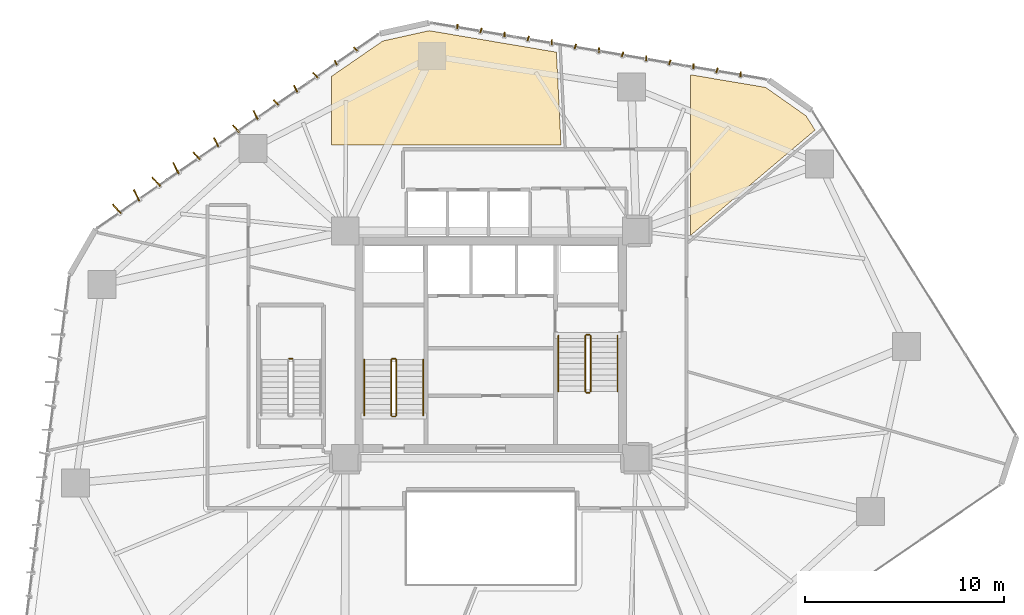
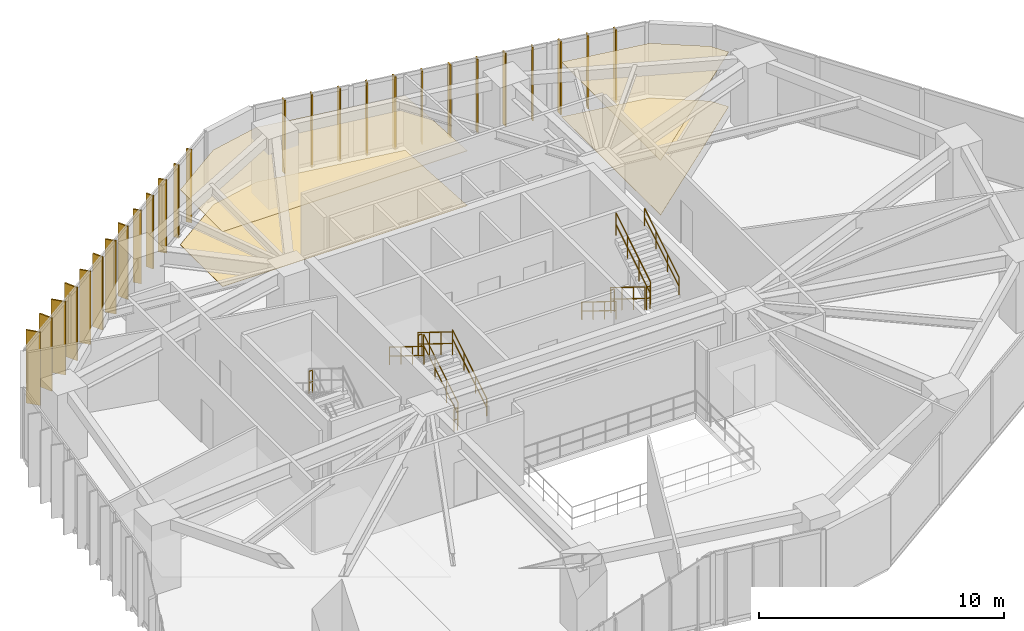
# One storey, part 21 of 21: 26 shading devices, 13 railings, 4 coverings.
"""IFC4 building model written with IfcOpenShell, lengths in metres."""

from ifc_helpers import new_model, si_unit, direction, frame, origin, origin_2d, place, context, subcontext, project, spatial, polyline, rectangle, circle, outline, extrude, source, transform, mapped, material, layer, layer_set, type_object, type_shapes, element, save


model = new_model("IFC4")

# Units and contexts
model_context = context("Model", 3, precision=1e-05, world=origin(), true_north=direction((0.0, 1.0)))
body_context = subcontext(model_context, "Body", "Model", "MODEL_VIEW")
ifc_project = project(units=[si_unit("LENGTHUNIT", "METRE"), si_unit("AREAUNIT", "SQUARE_METRE"), si_unit("VOLUMEUNIT", "CUBIC_METRE"), si_unit("PLANEANGLEUNIT", "RADIAN"), si_unit("MASSUNIT", "GRAM", prefix="KILO")], contexts=[model_context])

# Site, building, storey
site_placement = place(None, origin())
site = spatial("IfcSite", under=ifc_project, at=site_placement, CompositionType="ELEMENT")
building_placement = place(site_placement, origin())
building = spatial("IfcBuilding", under=site, at=building_placement, Name="Talar Marvaseh", CompositionType="ELEMENT")
storey_placement = place(building_placement, frame((0.0, 0.0, 62.0)))
storey = spatial("IfcBuildingStorey", under=building, at=storey_placement, Name="L15", CompositionType="ELEMENT", Elevation=62.0)

# Railings
ifc_material_1 = material(Name="Stainless Steel Grade 316", Category="steel")
railing_type_1 = type_object("IfcRailingType", Name="Brushed Stainless Wall Pitch Handrail 900", PredefinedType="HANDRAIL", material=ifc_material_1)
railing_1_placement = place(storey_placement, frame((22.610107421875, 27.64990234375, 0.172607421875)))
element("IfcRailing", 1, at=railing_1_placement, inside=storey, type_object=railing_type_1, Name="L15 ST-1 stair handrail 1", PredefinedType="HANDRAIL", context=body_context, shape_type="SweptSolid", body=[
    extrude(circle(Radius=0.02392578125, at=origin_2d()), frame((0.0, 0.0, 0.8759765625), z_axis=(0.0, 0.851089632645, 0.525020415988), x_axis=(-1.0, 0.0, 0.0)), (0.0, 0.0, 1.0), 3.2900390625),
    extrude(circle(Radius=0.02392578125, at=origin_2d()), frame((0.0, 0.0, 0.42578125), z_axis=(0.0, 0.851089632645, 0.525020415988), x_axis=(-1.0, 0.0, 0.0)), (0.0, 0.0, 1.0), 3.2900390625),
    extrude(circle(Radius=0.02099609375, at=origin_2d()), origin(), (0.0, 0.0, 1.0), 0.851806640625),
    extrude(circle(Radius=0.02099609375, at=origin_2d()), frame((0.0, 0.933349609375, 0.57568359375)), (0.0, 0.0, 1.0), 0.851806640625),
    extrude(circle(Radius=0.02099609375, at=origin_2d()), frame((0.0, 1.86669921875, 1.151611328125)), (0.0, 0.0, 1.0), 0.851806640625),
    extrude(circle(Radius=0.02099609375, at=origin_2d()), frame((0.0, 2.800048828125, 1.727294921875)), (0.0, 0.0, 1.0), 0.851806640625),
])
railing_2_placement = place(storey_placement, frame((19.64990234375, 30.449951171875, 2.07275390625)))
element("IfcRailing", 2, at=railing_2_placement, inside=storey, type_object=railing_type_1, Name="L15 ST-1 stair handrail 2", PredefinedType="HANDRAIL", context=body_context, shape_type="SweptSolid", body=[
    extrude(circle(Radius=0.02392578125, at=origin_2d()), frame((0.0, 0.0, 0.8759765625), z_axis=(0.0, -0.851089632645, 0.525020415988), x_axis=(1.0, 0.0, 0.0)), (0.0, 0.0, 1.0), 3.2900390625),
    extrude(circle(Radius=0.02392578125, at=origin_2d()), frame((0.0, 0.0, 0.42578125), z_axis=(0.0, -0.851089632645, 0.525020415988), x_axis=(1.0, 0.0, 0.0)), (0.0, 0.0, 1.0), 3.2900390625),
    extrude(circle(Radius=0.02099609375, at=origin_2d()), origin(), (0.0, 0.0, 1.0), 0.851806640625),
    extrude(circle(Radius=0.02099609375, at=origin_2d()), frame((0.0, -0.933349609375, 0.57568359375)), (0.0, 0.0, 1.0), 0.851806640625),
    extrude(circle(Radius=0.02099609375, at=origin_2d()), frame((0.0, -1.86669921875, 1.151611328125)), (0.0, 0.0, 1.0), 0.851806640625),
    extrude(circle(Radius=0.02099609375, at=origin_2d()), frame((0.0, -2.800048828125, 1.727294921875)), (0.0, 0.0, 1.0), 0.851806640625),
])
railing_3_placement = place(storey_placement, frame((29.389892578125, 31.64990234375, 0.172607421875)))
element("IfcRailing", 3, at=railing_3_placement, inside=storey, type_object=railing_type_1, Name="L15 ST-2 stair handrail 1", PredefinedType="HANDRAIL", context=body_context, shape_type="SweptSolid", body=[
    extrude(circle(Radius=0.02392578125, at=origin_2d()), frame((0.0, 0.0, 0.8759765625), z_axis=(0.0, -0.851069175582, 0.525053576669), x_axis=(1.0, 0.0, 0.0)), (0.0, 0.0, 1.0), 3.289794921875),
    extrude(circle(Radius=0.02392578125, at=origin_2d()), frame((0.0, 0.0, 0.42578125), z_axis=(0.0, -0.851069175582, 0.525053576669), x_axis=(1.0, 0.0, 0.0)), (0.0, 0.0, 1.0), 3.289794921875),
    extrude(circle(Radius=0.02099609375, at=origin_2d()), origin(), (0.0, 0.0, 1.0), 0.851806640625),
    extrude(circle(Radius=0.02099609375, at=origin_2d()), frame((0.0, -0.933349609375, 0.57568359375)), (0.0, 0.0, 1.0), 0.851806640625),
    extrude(circle(Radius=0.02099609375, at=origin_2d()), frame((0.0, -1.866455078125, 1.151611328125)), (0.0, 0.0, 1.0), 0.851806640625),
    extrude(circle(Radius=0.02099609375, at=origin_2d()), frame((0.0, -2.7998046875, 1.727294921875)), (0.0, 0.0, 1.0), 0.851806640625),
])
railing_4_placement = place(storey_placement, frame((32.35009765625, 28.85009765625, 2.07275390625)))
element("IfcRailing", 4, at=railing_4_placement, inside=storey, type_object=railing_type_1, Name="L15 ST-2 stair handrail 2", PredefinedType="HANDRAIL", context=body_context, shape_type="SweptSolid", body=[
    extrude(circle(Radius=0.02392578125, at=origin_2d()), frame((0.0, 0.0, 0.8759765625), z_axis=(0.0, 0.851069175582, 0.525053576669), x_axis=(-1.0, 0.0, 0.0)), (0.0, 0.0, 1.0), 3.289794921875),
    extrude(circle(Radius=0.02392578125, at=origin_2d()), frame((0.0, 0.0, 0.42578125), z_axis=(0.0, 0.851069175582, 0.525053576669), x_axis=(-1.0, 0.0, 0.0)), (0.0, 0.0, 1.0), 3.289794921875),
    extrude(circle(Radius=0.02099609375, at=origin_2d()), origin(), (0.0, 0.0, 1.0), 0.851806640625),
    extrude(circle(Radius=0.02099609375, at=origin_2d()), frame((0.0, 0.933349609375, 0.57568359375)), (0.0, 0.0, 1.0), 0.851806640625),
    extrude(circle(Radius=0.02099609375, at=origin_2d()), frame((0.0, 1.866455078125, 1.151611328125)), (0.0, 0.0, 1.0), 0.851806640625),
    extrude(circle(Radius=0.02099609375, at=origin_2d()), frame((0.0, 2.7998046875, 1.727294921875)), (0.0, 0.0, 1.0), 0.851806640625),
])
railing_type_2 = type_object("IfcRailingType", Name="Painted Steel Core Stair Well Guardrail 1150", PredefinedType="GUARDRAIL", material=ifc_material_1)
railing_5_placement = place(storey_placement, frame((21.260009765625, 27.64990234375, 0.172607421875)))
element("IfcRailing", 5, at=railing_5_placement, inside=storey, type_object=railing_type_2, Name="L15 ST-1 stair guard 1", PredefinedType="GUARDRAIL", context=body_context, shape_type="SweptSolid", body=[
    extrude(circle(Radius=0.02392578125, at=origin_2d()), frame((0.0, 0.0, 1.1259765625), z_axis=(0.0, 0.851089632645, 0.525020415988), x_axis=(-1.0, 0.0, 0.0)), (0.0, 0.0, 1.0), 3.2900390625),
    extrude(circle(Radius=0.02392578125, at=origin_2d()), frame((0.0, 0.0, 0.55078125), z_axis=(0.0, 0.851089632645, 0.525020415988), x_axis=(-1.0, 0.0, 0.0)), (0.0, 0.0, 1.0), 3.2900390625),
    extrude(circle(Radius=0.02099609375, at=origin_2d()), origin(), (0.0, 0.0, 1.0), 1.101806640625),
    extrude(circle(Radius=0.02099609375, at=origin_2d()), frame((0.0, 0.933349609375, 0.57568359375)), (0.0, 0.0, 1.0), 1.101806640625),
    extrude(circle(Radius=0.02099609375, at=origin_2d()), frame((0.0, 1.86669921875, 1.151611328125)), (0.0, 0.0, 1.0), 1.101806640625),
    extrude(circle(Radius=0.02099609375, at=origin_2d()), frame((0.0, 2.800048828125, 1.727294921875)), (0.0, 0.0, 1.0), 1.101806640625),
])
railing_6_placement = place(storey_placement, frame((21.2099609375, 30.5, 1.89990234375)))
element("IfcRailing", 6, at=railing_6_placement, inside=storey, type_object=railing_type_2, Name="L15 ST-1 stair guard 2", PredefinedType="GUARDRAIL", context=body_context, shape_type="SweptSolid", body=[
    extrude(circle(Radius=0.02392578125, at=origin_2d()), frame((0.0, 0.0, 1.1259765625), z_axis=(-1.0, 0.0, 0.0), x_axis=(0.0, -1.0, 0.0)), (0.0, 0.0, 1.0), 0.159912109375),
    extrude(circle(Radius=0.02392578125, at=origin_2d()), frame((0.0, 0.0, 0.55078125), z_axis=(-1.0, 0.0, 0.0), x_axis=(0.0, -1.0, 0.0)), (0.0, 0.0, 1.0), 0.159912109375),
    extrude(circle(Radius=0.02099609375, at=origin_2d()), origin(), (0.0, 0.0, 1.0), 1.101806640625),
    extrude(circle(Radius=0.02099609375, at=origin_2d()), frame((-0.159912109375, 0.0, 0.0)), (0.0, 0.0, 1.0), 1.101806640625),
])
railing_7_placement = place(storey_placement, frame((21.0, 30.449951171875, 2.07275390625)))
element("IfcRailing", 7, at=railing_7_placement, inside=storey, type_object=railing_type_2, Name="L15 ST-1 stair guard 3", PredefinedType="GUARDRAIL", context=body_context, shape_type="SweptSolid", body=[
    extrude(circle(Radius=0.02392578125, at=origin_2d()), frame((0.0, 0.0, 1.1259765625), z_axis=(0.0, -0.851089632645, 0.525020415988), x_axis=(1.0, 0.0, 0.0)), (0.0, 0.0, 1.0), 3.2900390625),
    extrude(circle(Radius=0.02392578125, at=origin_2d()), frame((0.0, 0.0, 0.55078125), z_axis=(0.0, -0.851089632645, 0.525020415988), x_axis=(1.0, 0.0, 0.0)), (0.0, 0.0, 1.0), 3.2900390625),
    extrude(circle(Radius=0.02099609375, at=origin_2d()), origin(), (0.0, 0.0, 1.0), 1.101806640625),
    extrude(circle(Radius=0.02099609375, at=origin_2d()), frame((0.0, -0.933349609375, 0.57568359375)), (0.0, 0.0, 1.0), 1.101806640625),
    extrude(circle(Radius=0.02099609375, at=origin_2d()), frame((0.0, -1.86669921875, 1.151611328125)), (0.0, 0.0, 1.0), 1.101806640625),
    extrude(circle(Radius=0.02099609375, at=origin_2d()), frame((0.0, -2.800048828125, 1.727294921875)), (0.0, 0.0, 1.0), 1.101806640625),
])
railing_8_placement = place(storey_placement, frame((21.2099609375, 27.60009765625, 0.0)))
element("IfcRailing", 8, at=railing_8_placement, inside=storey, type_object=railing_type_2, Name="L15 ST-1 stair guard 4", PredefinedType="GUARDRAIL", context=body_context, shape_type="SweptSolid", body=[
    extrude(circle(Radius=0.02392578125, at=origin_2d()), frame((0.0, 0.0, 1.1259765625), z_axis=(-1.0, 0.0, 0.0), x_axis=(0.0, -1.0, 0.0)), (0.0, 0.0, 1.0), 0.159912109375),
    extrude(circle(Radius=0.02392578125, at=origin_2d()), frame((0.0, 0.0, 0.55078125), z_axis=(-1.0, 0.0, 0.0), x_axis=(0.0, -1.0, 0.0)), (0.0, 0.0, 1.0), 0.159912109375),
    extrude(circle(Radius=0.02099609375, at=origin_2d()), origin(), (0.0, 0.0, 1.0), 1.101806640625),
    extrude(circle(Radius=0.02099609375, at=origin_2d()), frame((-0.159912109375, 0.0, 0.0)), (0.0, 0.0, 1.0), 1.101806640625),
])
railing_9_placement = place(storey_placement, frame((30.739990234375, 31.64990234375, 0.172607421875)))
element("IfcRailing", 9, at=railing_9_placement, inside=storey, type_object=railing_type_2, Name="L15 ST-2 stair guard 1", PredefinedType="GUARDRAIL", context=body_context, shape_type="SweptSolid", body=[
    extrude(circle(Radius=0.02392578125, at=origin_2d()), frame((0.0, 0.0, 1.1259765625), z_axis=(0.0, -0.851069175582, 0.525053576669), x_axis=(1.0, 0.0, 0.0)), (0.0, 0.0, 1.0), 3.289794921875),
    extrude(circle(Radius=0.02392578125, at=origin_2d()), frame((0.0, 0.0, 0.55078125), z_axis=(0.0, -0.851069175582, 0.525053576669), x_axis=(1.0, 0.0, 0.0)), (0.0, 0.0, 1.0), 3.289794921875),
    extrude(circle(Radius=0.02099609375, at=origin_2d()), origin(), (0.0, 0.0, 1.0), 1.101806640625),
    extrude(circle(Radius=0.02099609375, at=origin_2d()), frame((0.0, -0.933349609375, 0.57568359375)), (0.0, 0.0, 1.0), 1.101806640625),
    extrude(circle(Radius=0.02099609375, at=origin_2d()), frame((0.0, -1.866455078125, 1.151611328125)), (0.0, 0.0, 1.0), 1.101806640625),
    extrude(circle(Radius=0.02099609375, at=origin_2d()), frame((0.0, -2.7998046875, 1.727294921875)), (0.0, 0.0, 1.0), 1.101806640625),
])
railing_10_placement = place(storey_placement, frame((30.7900390625, 28.800048828125, 1.89990234375)))
element("IfcRailing", 10, at=railing_10_placement, inside=storey, type_object=railing_type_2, Name="L15 ST-2 stair guard 2", PredefinedType="GUARDRAIL", context=body_context, shape_type="SweptSolid", body=[
    extrude(circle(Radius=0.02392578125, at=origin_2d()), frame((0.0, 0.0, 1.1259765625), z_axis=(1.0, 0.0, 0.0), x_axis=(0.0, 1.0, 0.0)), (0.0, 0.0, 1.0), 0.159912109375),
    extrude(circle(Radius=0.02392578125, at=origin_2d()), frame((0.0, 0.0, 0.55078125), z_axis=(1.0, 0.0, 0.0), x_axis=(0.0, 1.0, 0.0)), (0.0, 0.0, 1.0), 0.159912109375),
    extrude(circle(Radius=0.02099609375, at=origin_2d()), origin(), (0.0, 0.0, 1.0), 1.101806640625),
    extrude(circle(Radius=0.02099609375, at=origin_2d()), frame((0.159912109375, 0.0, 0.0)), (0.0, 0.0, 1.0), 1.101806640625),
])
railing_11_placement = place(storey_placement, frame((31.0, 28.85009765625, 2.07275390625)))
element("IfcRailing", 11, at=railing_11_placement, inside=storey, type_object=railing_type_2, Name="L15 ST-2 stair guard 3", PredefinedType="GUARDRAIL", context=body_context, shape_type="SweptSolid", body=[
    extrude(circle(Radius=0.02392578125, at=origin_2d()), frame((0.0, 0.0, 1.1259765625), z_axis=(0.0, 0.851069175582, 0.525053576669), x_axis=(-1.0, 0.0, 0.0)), (0.0, 0.0, 1.0), 3.289794921875),
    extrude(circle(Radius=0.02392578125, at=origin_2d()), frame((0.0, 0.0, 0.55078125), z_axis=(0.0, 0.851069175582, 0.525053576669), x_axis=(-1.0, 0.0, 0.0)), (0.0, 0.0, 1.0), 3.289794921875),
    extrude(circle(Radius=0.02099609375, at=origin_2d()), origin(), (0.0, 0.0, 1.0), 1.101806640625),
    extrude(circle(Radius=0.02099609375, at=origin_2d()), frame((0.0, 0.933349609375, 0.57568359375)), (0.0, 0.0, 1.0), 1.101806640625),
    extrude(circle(Radius=0.02099609375, at=origin_2d()), frame((0.0, 1.866455078125, 1.151611328125)), (0.0, 0.0, 1.0), 1.101806640625),
    extrude(circle(Radius=0.02099609375, at=origin_2d()), frame((0.0, 2.7998046875, 1.727294921875)), (0.0, 0.0, 1.0), 1.101806640625),
])
railing_12_placement = place(storey_placement, frame((30.7900390625, 31.699951171875, 0.0)))
element("IfcRailing", 12, at=railing_12_placement, inside=storey, type_object=railing_type_2, Name="L15 ST-2 stair guard 4", PredefinedType="GUARDRAIL", context=body_context, shape_type="SweptSolid", body=[
    extrude(circle(Radius=0.02392578125, at=origin_2d()), frame((0.0, 0.0, 1.1259765625), z_axis=(1.0, 0.0, 0.0), x_axis=(0.0, 1.0, 0.0)), (0.0, 0.0, 1.0), 0.159912109375),
    extrude(circle(Radius=0.02392578125, at=origin_2d()), frame((0.0, 0.0, 0.55078125), z_axis=(1.0, 0.0, 0.0), x_axis=(0.0, 1.0, 0.0)), (0.0, 0.0, 1.0), 0.159912109375),
    extrude(circle(Radius=0.02099609375, at=origin_2d()), origin(), (0.0, 0.0, 1.0), 1.101806640625),
    extrude(circle(Radius=0.02099609375, at=origin_2d()), frame((0.159912109375, 0.0, 0.0)), (0.0, 0.0, 1.0), 1.101806640625),
])
railing_13_placement = place(storey_placement, frame((16.050048828125, 30.5, 1.89990234375)))
element("IfcRailing", 13, at=railing_13_placement, inside=storey, type_object=railing_type_2, Name="L15 ST-3 stair guard 2", PredefinedType="GUARDRAIL", context=body_context, shape_type="SweptSolid", body=[
    extrude(circle(Radius=0.02392578125, at=origin_2d()), frame((0.0, 0.0, 1.1259765625), z_axis=(-1.0, 0.0, 0.0), x_axis=(0.0, -1.0, 0.0)), (0.0, 0.0, 1.0), 0.16015625),
    extrude(circle(Radius=0.02392578125, at=origin_2d()), frame((0.0, 0.0, 0.55078125), z_axis=(-1.0, 0.0, 0.0), x_axis=(0.0, -1.0, 0.0)), (0.0, 0.0, 1.0), 0.16015625),
    extrude(circle(Radius=0.02099609375, at=origin_2d()), origin(), (0.0, 0.0, 1.0), 1.101806640625),
    extrude(circle(Radius=0.02099609375, at=origin_2d()), frame((-0.16015625, 0.0, 0.0)), (0.0, 0.0, 1.0), 1.101806640625),
])

# Coverings
ifc_material_2 = material(Name="Mineral Fibre Acoustic Ceiling")
ifc_layer_1 = layer(ifc_material_2, 0.02490234375)
ifc_layer_set_1 = layer_set([ifc_layer_1], Name="Mineral Fibre Acoustic Ceiling")
covering_type_1 = type_object("IfcCoveringType", Name="Perforated Mineral Fibre Acoustic Suspended Ceiling", PredefinedType="CEILING", material=ifc_layer_set_1)
covering_1_placement = place(storey_placement, frame((0.0, 0.0, 2.719970703125)))
element("IfcCovering", 14, at=covering_1_placement, inside=storey, type_object=covering_type_1, Name="L15 Chamber Recital Salon Acoustic Ceiling", PredefinedType="CEILING", context=body_context, shape_type="SweptSolid", body=[
    extrude(outline(polyline([(36.0, 36.668701171875), (36.0, 41.0), (36.0, 44.735595703125), (39.776611328125, 44.09912109375), (41.80322265625, 42.67333984375), (42.252685546875, 41.958251953125), (36.0, 36.668701171875)])), origin(), (0.0, 0.0, 1.0), 0.025146484375),
])
covering_2_placement = place(storey_placement, frame((0.0, 0.0, 2.719970703125)))
element("IfcCovering", 15, at=covering_2_placement, inside=storey, type_object=covering_type_1, Name="L15 Digital Paleography Studio Acoustic Ceiling", PredefinedType="CEILING", context=body_context, shape_type="SweptSolid", body=[
    extrude(outline(polyline([(22.910400390625, 46.942138671875), (29.287109375, 45.8671875), (29.5185546875, 41.199951171875), (21.60009765625, 41.199951171875), (18.0, 41.199951171875), (18.0, 44.646240234375), (20.58349609375, 46.42626953125), (22.910400390625, 46.942138671875)])), origin(), (0.0, 0.0, 1.0), 0.025146484375),
])
ifc_material_3 = material(Name="Porcelain Stoneware Tile", Category="masonry")
ifc_layer_2 = layer(ifc_material_3, 0.02001953125)
ifc_layer_set_2 = layer_set([ifc_layer_2], Name="Porcelain Stoneware Tile")
covering_type_2 = type_object("IfcCoveringType", Name="Polished Porcelain Stoneware Gallery Flooring", PredefinedType="FLOORING", material=ifc_layer_set_2)
covering_3_placement = place(storey_placement, origin())
element("IfcCovering", 16, at=covering_3_placement, inside=storey, type_object=covering_type_2, Name="L15 Chamber Recital Salon Flooring", PredefinedType="FLOORING", context=body_context, shape_type="SweptSolid", body=[
    extrude(outline(polyline([(36.0, 36.668701171875), (36.0, 41.0), (36.0, 44.735595703125), (39.776611328125, 44.09912109375), (41.80322265625, 42.67333984375), (42.252685546875, 41.958251953125), (36.0, 36.668701171875)])), origin(), (0.0, 0.0, 1.0), 0.02001953125),
])
covering_4_placement = place(storey_placement, origin())
element("IfcCovering", 17, at=covering_4_placement, inside=storey, type_object=covering_type_2, Name="L15 Digital Paleography Studio Flooring", PredefinedType="FLOORING", context=body_context, shape_type="SweptSolid", body=[
    extrude(outline(polyline([(22.910400390625, 46.942138671875), (29.287109375, 45.8671875), (29.5185546875, 41.199951171875), (21.60009765625, 41.199951171875), (18.0, 41.199951171875), (18.0, 44.646240234375), (20.58349609375, 46.42626953125), (22.910400390625, 46.942138671875)])), origin(), (0.0, 0.0, 1.0), 0.02001953125),
])

# Shading devices
ifc_material_4 = material(Name="Anodised Champagne Bronze Aluminium", Category="aluminium")
ifc_layer_3 = layer(ifc_material_4, 0.06494140625)
ifc_layer_set_3 = layer_set([ifc_layer_3], Name="Anodised Champagne Bronze Aluminium")
shading_device_type_1 = type_object("IfcShadingDeviceType", Name="Sawtooth Champagne Bronze Vertical Fin 240", PredefinedType="USERDEFINED", material=ifc_layer_set_3)
shared_shape_1 = source(origin(), body_context, "Body", "SweptSolid", [
    extrude(rectangle(XDim=0.239990234375, YDim=0.06494140625, at=origin_2d()), origin(), (0.0, 0.0, 1.0), 3.639892578125),
])
type_shapes(shading_device_type_1, [shared_shape_1])
for number, where, z_axis, x_axis, name in (
    (18, (18.22509765625, 45.341796875, -0.1201171875), (0.0, 0.0, 1.0), (-0.447290848419, 0.89438856037, 0.0), "L15 Sawtooth Vertical Solar Fin"),
    (19, (19.213134765625, 46.0224609375, -0.1201171875), (0.0, 0.0, 1.0), (-0.676490457382, 0.73645139763, 0.0), "L15 Sawtooth Vertical Solar Fin"),
    (20, (24.322998046875, 47.1552734375, -0.1201171875), (0.0, 0.0, 1.0), (0.027398240288, 0.999624597751, 0.0), "L15 Sawtooth Vertical Solar Fin"),
    (21, (25.50634765625, 46.955810546875, -0.1201171875), (0.0, 0.0, 1.0), (0.301870759858, 0.953348857629, 0.0), "L15 Sawtooth Vertical Solar Fin"),
    (22, (26.689697265625, 46.75634765625, -0.1201171875), (0.0, 0.0, 1.0), (0.027398240288, 0.999624597751, 0.0), "L15 Sawtooth Vertical Solar Fin"),
    (23, (27.872802734375, 46.556884765625, -0.1201171875), (0.0, 0.0, 1.0), (0.301870759858, 0.953348857629, 0.0), "L15 Sawtooth Vertical Solar Fin"),
    (24, (29.05615234375, 46.357421875, -0.1201171875), (0.0, 0.0, 1.0), (0.027398240288, 0.999624597751, 0.0), "L15 Sawtooth Vertical Solar Fin"),
    (25, (30.239501953125, 46.157958984375, -0.1201171875), (0.0, 0.0, 1.0), (0.301870759858, 0.953348857629, 0.0), "L15 Sawtooth Vertical Solar Fin"),
    (26, (31.4228515625, 45.95849609375, -0.1201171875), (0.0, 0.0, 1.0), (0.027398240288, 0.999624597751, 0.0), "L15 Sawtooth Vertical Solar Fin"),
    (27, (32.606201171875, 45.759033203125, -0.1201171875), (0.0, 0.0, 1.0), (0.301870759858, 0.953348857629, 0.0), "L15 Sawtooth Vertical Solar Fin"),
    (28, (33.78955078125, 45.5595703125, -0.1201171875), (0.0, 0.0, 1.0), (0.027398240288, 0.999624597751, 0.0), "L15 Sawtooth Vertical Solar Fin"),
    (29, (34.972900390625, 45.360107421875, -0.1201171875), (0.0, 0.0, 1.0), (0.301870759858, 0.953348857629, 0.0), "L15 Sawtooth Vertical Solar Fin"),
    (30, (36.156005859375, 45.16064453125, -0.1201171875), (0.0, 0.0, 1.0), (0.027398240288, 0.999624597751, 0.0), "L15 Sawtooth Vertical Solar Fin"),
    (31, (37.33935546875, 44.961181640625, -0.1201171875), (0.0, 0.0, 1.0), (0.301870759858, 0.953348857629, 0.0), "L15 Sawtooth Vertical Solar Fin"),
    (32, (38.522705078125, 44.76171875, -0.1201171875), (0.0, 0.0, 1.0), (0.027398240288, 0.999624597751, 0.0), "L15 Sawtooth Vertical Solar Fin"),
):
    element("IfcShadingDevice", number, at=place(storey_placement, frame(where, z_axis=z_axis, x_axis=x_axis)), inside=storey, type_object=shading_device_type_1, Name=name, ObjectType="FIN", PredefinedType="USERDEFINED", context=body_context, shape_type="MappedRepresentation", body=[
        mapped(shared_shape_1, transform((0.0, 0.0, 0.0), x_axis=(1.0, 0.0, 0.0), y_axis=(0.0, 1.0, 0.0), z_axis=(0.0, 0.0, 1.0), scale=1.0)),
    ])
ifc_layer_4 = layer(ifc_material_4, 0.06494140625)
ifc_layer_set_4 = layer_set([ifc_layer_4], Name="Anodised Champagne Bronze Aluminium")
shading_device_type_2 = type_object("IfcShadingDeviceType", Name="Sawtooth Champagne Bronze Vertical Fin 360", PredefinedType="USERDEFINED", material=ifc_layer_set_4)
shared_shape_2 = source(origin(), body_context, "Body", "SweptSolid", [
    extrude(rectangle(XDim=0.360107421875, YDim=0.06494140625, at=origin_2d()), origin(), (0.0, 0.0, 1.0), 3.639892578125),
])
type_shapes(shading_device_type_2, [shared_shape_2])
for number, where, z_axis, x_axis, name in (
    (33, (15.2265625, 43.348388671875, -0.1201171875), (0.0, 0.0, 1.0), (-0.676490457382, 0.73645139763, 0.0), "L15 Sawtooth Vertical Solar Fin"),
    (34, (16.214599609375, 44.029296875, -0.1201171875), (0.0, 0.0, 1.0), (-0.447290848419, 0.89438856037, 0.0), "L15 Sawtooth Vertical Solar Fin"),
    (35, (17.202880859375, 44.710205078125, -0.1201171875), (0.0, 0.0, 1.0), (-0.676490457382, 0.73645139763, 0.0), "L15 Sawtooth Vertical Solar Fin"),
):
    element("IfcShadingDevice", number, at=place(storey_placement, frame(where, z_axis=z_axis, x_axis=x_axis)), inside=storey, type_object=shading_device_type_2, Name=name, ObjectType="FIN", PredefinedType="USERDEFINED", context=body_context, shape_type="MappedRepresentation", body=[
        mapped(shared_shape_2, transform((0.0, 0.0, 0.0), x_axis=(1.0, 0.0, 0.0), y_axis=(0.0, 1.0, 0.0), z_axis=(0.0, 0.0, 1.0), scale=1.0)),
    ])
ifc_layer_5 = layer(ifc_material_4, 0.06494140625)
ifc_layer_set_5 = layer_set([ifc_layer_5], Name="Anodised Champagne Bronze Aluminium")
shading_device_type_3 = type_object("IfcShadingDeviceType", Name="Sawtooth Champagne Bronze Vertical Fin 480", PredefinedType="USERDEFINED", material=ifc_layer_set_5)
shared_shape_3 = source(origin(), body_context, "Body", "SweptSolid", [
    extrude(rectangle(XDim=0.47998046875, YDim=0.06494140625, at=origin_2d()), origin(), (0.0, 0.0, 1.0), 3.639892578125),
])
type_shapes(shading_device_type_3, [shared_shape_3])
for number, where, z_axis, x_axis, name in (
    (36, (11.239990234375, 40.674560546875, -0.1201171875), (0.0, 0.0, 1.0), (-0.676490457382, 0.73645139763, 0.0), "L15 Sawtooth Vertical Solar Fin"),
    (37, (12.22802734375, 41.355224609375, -0.1201171875), (0.0, 0.0, 1.0), (-0.447290848419, 0.89438856037, 0.0), "L15 Sawtooth Vertical Solar Fin"),
    (38, (13.21630859375, 42.0361328125, -0.1201171875), (0.0, 0.0, 1.0), (-0.676490457382, 0.73645139763, 0.0), "L15 Sawtooth Vertical Solar Fin"),
    (39, (14.204345703125, 42.717041015625, -0.1201171875), (0.0, 0.0, 1.0), (-0.447290848419, 0.89438856037, 0.0), "L15 Sawtooth Vertical Solar Fin"),
):
    element("IfcShadingDevice", number, at=place(storey_placement, frame(where, z_axis=z_axis, x_axis=x_axis)), inside=storey, type_object=shading_device_type_3, Name=name, ObjectType="FIN", PredefinedType="USERDEFINED", context=body_context, shape_type="MappedRepresentation", body=[
        mapped(shared_shape_3, transform((0.0, 0.0, 0.0), x_axis=(1.0, 0.0, 0.0), y_axis=(0.0, 1.0, 0.0), z_axis=(0.0, 0.0, 1.0), scale=1.0)),
    ])
ifc_layer_6 = layer(ifc_material_4, 0.06494140625)
ifc_layer_set_6 = layer_set([ifc_layer_6], Name="Anodised Champagne Bronze Aluminium")
shading_device_type_4 = type_object("IfcShadingDeviceType", Name="Sawtooth Champagne Bronze Vertical Fin 620", PredefinedType="USERDEFINED", material=ifc_layer_set_6)
shared_shape_4 = source(origin(), body_context, "Body", "SweptSolid", [
    extrude(rectangle(XDim=0.6201171875, YDim=0.06494140625, at=origin_2d()), origin(), (0.0, 0.0, 1.0), 3.639892578125),
])
type_shapes(shading_device_type_4, [shared_shape_4])
for number, where, z_axis, x_axis, name in (
    (40, (7.247802734375, 38.0087890625, -0.1201171875), (0.0, 0.0, 1.0), (-0.676490457382, 0.73645139763, 0.0), "L15 Sawtooth Vertical Solar Fin"),
    (41, (8.23583984375, 38.689453125, -0.1201171875), (0.0, 0.0, 1.0), (-0.447290848419, 0.89438856037, 0.0), "L15 Sawtooth Vertical Solar Fin"),
    (42, (9.223876953125, 39.370361328125, -0.1201171875), (0.0, 0.0, 1.0), (-0.676490457382, 0.73645139763, 0.0), "L15 Sawtooth Vertical Solar Fin"),
    (43, (10.212158203125, 40.05126953125, -0.1201171875), (0.0, 0.0, 1.0), (-0.447290848419, 0.89438856037, 0.0), "L15 Sawtooth Vertical Solar Fin"),
):
    element("IfcShadingDevice", number, at=place(storey_placement, frame(where, z_axis=z_axis, x_axis=x_axis)), inside=storey, type_object=shading_device_type_4, Name=name, ObjectType="FIN", PredefinedType="USERDEFINED", context=body_context, shape_type="MappedRepresentation", body=[
        mapped(shared_shape_4, transform((0.0, 0.0, 0.0), x_axis=(1.0, 0.0, 0.0), y_axis=(0.0, 1.0, 0.0), z_axis=(0.0, 0.0, 1.0), scale=1.0)),
    ])

save(model, "model.ifc")
